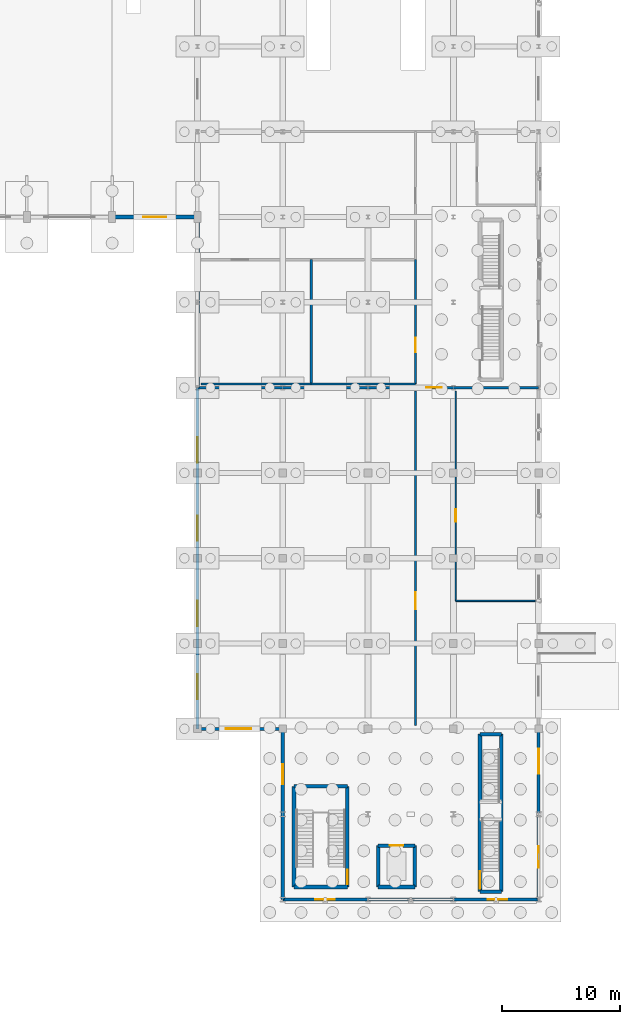
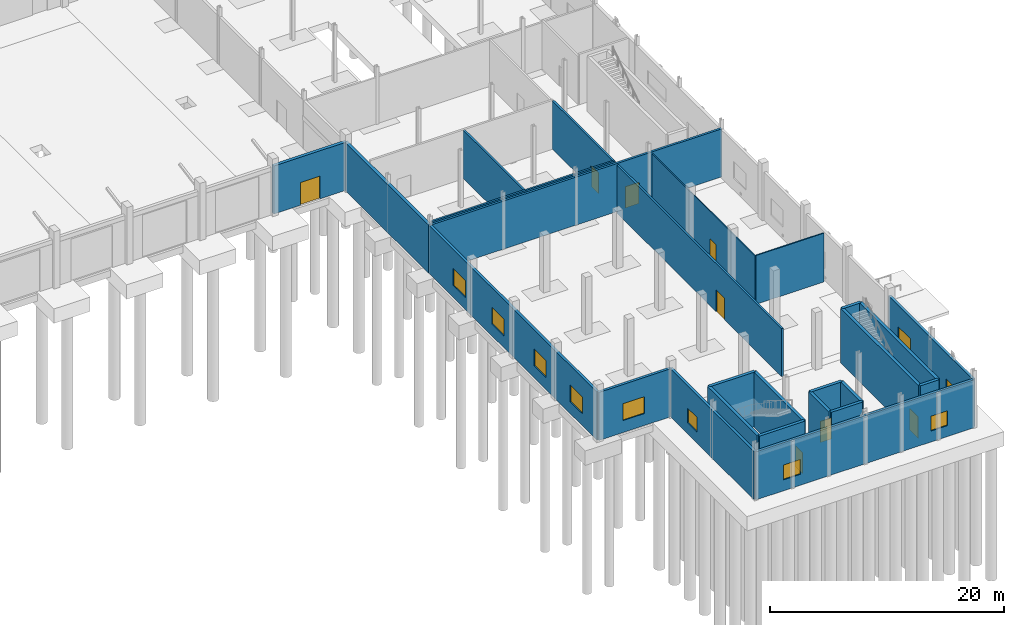
# One storey, part 35 of 45: 27 walls, 9 doors, 9 windows, 18 openings.
"""IFC4 building model written with IfcOpenShell, lengths in metres."""

import ifcopenshell
import ifcopenshell.guid

model = None  # the IFC model being written
_history = None  # IfcOwnerHistory: only IFC2X3 demands one
_inside = {}  # id of a spatial element -> (the spatial element, [elements in it])
_under = {}  # id of a project, library or spatial element -> (it, [spatial elements below it])
_declared = {}  # id of a project -> (the project, [libraries it declares])
_typed = {}  # id of a type object -> (the type object, [elements of that type])
_made_of = {}  # id of a material, layer set ... -> (it, [elements and type objects made of it])


def new_model(schema):
    """Start an empty IFC model of exactly this schema.

    Asked for "IFC4X3", IfcOpenShell would pick the latest addendum, in which some entities
    have other attributes; the version numbers below select the first issue.
    IFC2X3 requires an IfcOwnerHistory on every rooted entity: one is made here for all.
    """
    global model, _history
    if schema == "IFC4X3":
        model = ifcopenshell.file(schema_version=(4, 3, 0, 0))
    else:
        model = ifcopenshell.file(schema=schema)
    _inside.clear()
    _under.clear()
    _declared.clear()
    _typed.clear()
    _made_of.clear()
    _history = None
    if model.schema == "IFC2X3":
        org = make("IfcOrganization", Name="unknown")
        user = make(
            "IfcPersonAndOrganization",
            ThePerson=make("IfcPerson", FamilyName="unknown"),
            TheOrganization=org,
        )
        app = make(
            "IfcApplication",
            ApplicationDeveloper=org,
            Version="unknown",
            ApplicationFullName="unknown",
            ApplicationIdentifier="unknown",
        )
        _history = make(
            "IfcOwnerHistory",
            OwningUser=user,
            OwningApplication=app,
            ChangeAction="ADDED",
            CreationDate=0,
        )
    return model


def make(cls, **values):
    """One entity of the class cls with the attributes given. An attribute that is None is left unset."""
    return model.create_entity(
        cls, **{name: value for name, value in values.items() if value is not None}
    )


def rooted(cls, **values):
    """An entity with a GlobalId (a new one), such as an element, a storey or a relation."""
    return make(cls, GlobalId=ifcopenshell.guid.new(), OwnerHistory=_history, **values)


def si_unit(unit_type, name, prefix=None):
    """IfcSIUnit, for example si_unit("LENGTHUNIT", "METRE", prefix="MILLI")."""
    return make("IfcSIUnit", UnitType=unit_type, Prefix=prefix, Name=name)


def assignment(units):
    """IfcUnitAssignment: the units of a project."""
    return None if units is None else make("IfcUnitAssignment", Units=units)


def point(xyz):
    """IfcCartesianPoint."""
    return None if xyz is None else make("IfcCartesianPoint", Coordinates=xyz)


def direction(xyz):
    """IfcDirection."""
    return None if xyz is None else make("IfcDirection", DirectionRatios=xyz)


def frame(location, z_axis=None, x_axis=None):
    """IfcAxis2Placement3D, a coordinate frame: its origin and axes. An axis left out is left unset."""
    return make(
        "IfcAxis2Placement3D",
        Location=point(location),
        Axis=direction(z_axis),
        RefDirection=direction(x_axis),
    )


def frame_2d(location, x_axis=None):
    """IfcAxis2Placement2D, a coordinate frame in the plane: its origin and x axis."""
    return make(
        "IfcAxis2Placement2D", Location=point(location), RefDirection=direction(x_axis)
    )


def origin():
    """The frame at (0, 0, 0) with its axes left unset."""
    return frame((0.0, 0.0, 0.0))


def place(relative_to, where):
    """IfcLocalPlacement: puts the frame where relative to a parent placement (None: the world)."""
    return make(
        "IfcLocalPlacement", PlacementRelTo=relative_to, RelativePlacement=where
    )


def context(
    kind, dimensions, precision=None, world=None, true_north=None, identifier=None
):
    """IfcGeometricRepresentationContext, for example the 3D "Model" context."""
    return make(
        "IfcGeometricRepresentationContext",
        ContextIdentifier=identifier,
        ContextType=kind,
        CoordinateSpaceDimension=dimensions,
        Precision=precision,
        WorldCoordinateSystem=world,
        TrueNorth=true_north,
    )


def subcontext(parent, identifier, kind, view, scale=None):
    """IfcGeometricRepresentationSubContext, for example "Body" below "Model"."""
    return make(
        "IfcGeometricRepresentationSubContext",
        ContextIdentifier=identifier,
        ContextType=kind,
        ParentContext=parent,
        TargetScale=scale,
        TargetView=view,
    )


def project(units=None, contexts=None):
    """IfcProject with its units and contexts."""
    return rooted(
        "IfcProject",
        Name="project",
        RepresentationContexts=contexts,
        UnitsInContext=assignment(units),
    )


def spatial(cls, under=None, at=None, **own):
    """A site, building, storey or space (cls), placed at a placement, below another one or the project."""
    s = rooted(cls, ObjectPlacement=at, **own)
    if under is not None:
        _under.setdefault(under.id(), (under, []))[1].append(s)
    return s


def profile(cls, at=None, kind="AREA", **sizes):
    """A parametric profile (cls). Its sizes go by their IFC names, for example OverallWidth=200.0."""
    return make(cls, ProfileType=kind, Position=at, **sizes)


def rectangle(**sizes):
    """IfcRectangleProfileDef."""
    return profile("IfcRectangleProfileDef", **sizes)


def extrude(swept, where, along, depth):
    """IfcExtrudedAreaSolid: the profile swept, set in the frame where, extruded along a direction by depth."""
    return make(
        "IfcExtrudedAreaSolid",
        SweptArea=swept,
        Position=where,
        ExtrudedDirection=direction(along),
        Depth=depth,
    )


def shape(context_of_items, identifier, shape_type, items):
    """IfcShapeRepresentation: the items that make up one representation, for example the "Body"."""
    return make(
        "IfcShapeRepresentation",
        ContextOfItems=context_of_items,
        RepresentationIdentifier=identifier,
        RepresentationType=shape_type,
        Items=items,
    )


def material(Name=None, Category=None):
    """IfcMaterial."""
    return make("IfcMaterial", Name=Name, Category=Category)


def layer(
    of_material, thickness, ventilated=None, Name=None, Category=None, Priority=None
):
    """IfcMaterialLayer: one layer of a wall or slab, of a material (None: an air gap)."""
    return make(
        "IfcMaterialLayer",
        Material=of_material,
        LayerThickness=thickness,
        IsVentilated=ventilated,
        Name=Name,
        Category=Category,
        Priority=Priority,
    )


def layer_set(layers, Name=None):
    """IfcMaterialLayerSet."""
    return make("IfcMaterialLayerSet", MaterialLayers=layers, LayerSetName=Name)


def made_of(thing, what):
    """Note that an element or type object is made of a material, layer set ...; save() writes the relation."""
    if what is not None:
        _made_of.setdefault(what.id(), (what, []))[1].append(thing)
    return thing


def type_object(cls, material=None, **own):
    """A type object (cls), such as IfcWallType, which elements share."""
    return made_of(rooted(cls, **own), material)


def element(
    cls,
    number,
    at=None,
    inside=None,
    cuts=None,
    type_object=None,
    material=None,
    context=None,
    identifier="Body",
    shape_type=None,
    held_by="IfcProductDefinitionShape",
    body=None,
    shapes=None,
    **own,
):
    """One element of the class cls, such as IfcWall. Its Tag is "e" and its number.

    at: its placement. inside: the storey or other place that contains it. cuts: it is an
    opening in that element (IfcRelVoidsElement). A single representation is given by context,
    identifier, shape_type and body (its items); several are given by shapes. held_by: the class
    of the entity that holds the representations. save() writes the other relations.
    """
    e = rooted(cls, Tag="e%d" % number, ObjectPlacement=at, **own)
    if body is not None:
        shapes = [shape(context, identifier, shape_type, body)]
    if shapes is not None:
        e.Representation = make(held_by, Representations=shapes)
    if inside is not None:
        _inside.setdefault(inside.id(), (inside, []))[1].append(e)
    if cuts is not None:
        rooted(
            "IfcRelVoidsElement", RelatingBuildingElement=cuts, RelatedOpeningElement=e
        )
    if type_object is not None:
        _typed.setdefault(type_object.id(), (type_object, []))[1].append(e)
    return made_of(e, material)


def fill(opening, filler):
    """IfcRelFillsElement: the door or window that sits in an opening."""
    return rooted(
        "IfcRelFillsElement",
        RelatingOpeningElement=opening,
        RelatedBuildingElement=filler,
    )


def aggregate(whole, parts):
    """IfcRelAggregates: a whole, such as a stair, and the parts it consists of."""
    return rooted("IfcRelAggregates", RelatingObject=whole, RelatedObjects=parts)


def save(model, path):
    """Write the relations noted so far, then the file.

    IfcRelAggregates (storeys below a building ...), IfcRelContainedInSpatialStructure (elements
    in a storey), IfcRelDefinesByType, IfcRelAssociatesMaterial and IfcRelDeclares: one each for
    every whole, place, type object, material and project.
    """
    for whole, parts in _under.values():
        aggregate(whole, parts)
    for where, things in _inside.values():
        rooted(
            "IfcRelContainedInSpatialStructure",
            RelatedElements=things,
            RelatingStructure=where,
        )
    for kind, things in _typed.values():
        rooted("IfcRelDefinesByType", RelatedObjects=things, RelatingType=kind)
    for what, things in _made_of.values():
        rooted("IfcRelAssociatesMaterial", RelatedObjects=things, RelatingMaterial=what)
    for by, libraries in _declared.values():
        rooted("IfcRelDeclares", RelatingContext=by, RelatedDefinitions=libraries)
    model.write(path)


model = new_model("IFC4")

# Units and contexts
model_context = context("Model", 3, precision=1e-05, world=origin(), true_north=direction((0.0, 1.0)))
body_context = subcontext(model_context, "Body", "Model", "MODEL_VIEW")
ifc_project = project(units=[si_unit("LENGTHUNIT", "METRE"), si_unit("AREAUNIT", "SQUARE_METRE"), si_unit("VOLUMEUNIT", "CUBIC_METRE"), si_unit("PLANEANGLEUNIT", "RADIAN"), si_unit("MASSUNIT", "GRAM", prefix="KILO")], contexts=[model_context])

# Site, building, storey
site_placement = place(None, origin())
site = spatial("IfcSite", under=ifc_project, at=site_placement, CompositionType="ELEMENT")
building_placement = place(site_placement, origin())
building = spatial("IfcBuilding", under=site, at=building_placement, Name="Yarey Park Central Fire Station", CompositionType="ELEMENT")
storey_placement = place(building_placement, origin())
storey = spatial("IfcBuildingStorey", under=building, at=storey_placement, Name="L01", CompositionType="ELEMENT", Elevation=0.0)

# Wall, opening, door
ifc_material_1 = material(Name="Concrete C35/45", Category="concrete")
ifc_layer_1 = layer(ifc_material_1, 0.304931640625)
ifc_layer_set_1 = layer_set([ifc_layer_1], Name="Concrete C35/45")
wall_type_1 = type_object("IfcWallType", Name="ENV_WALL_CMU305", PredefinedType="STANDARD", material=ifc_layer_set_1)
wall_1_placement = place(storey_placement, frame((136.800048828125, 57.60009765625, 0.0), z_axis=(0.0, 0.0, 1.0), x_axis=(-1.0, 0.0, 0.0)))
wall_1 = element("IfcWall", 1, at=wall_1_placement, inside=storey, type_object=wall_type_1, Name="EW_L01_V2_S_11", PredefinedType="STANDARD", context=body_context, shape_type="SweptSolid", body=[
    extrude(rectangle(XDim=7.199951171875, YDim=0.304931640625, at=frame_2d((3.60009765625, 0.0))), origin(), (0.0, 0.0, 1.0), 5.02197265625),
])
opening_1_placement = place(wall_1_placement, frame((2.6298828125, 0.0, 0.0)))
opening_1 = element("IfcOpeningElement", 2, at=opening_1_placement, cuts=wall_1, Name="Opening ED-194", PredefinedType="OPENING", context=body_context, shape_type="SweptSolid", body=[
    extrude(rectangle(XDim=1.93994140625, YDim=2.3798828125, at=frame_2d((0.969970703125, 1.18994140625))), frame((0.0, 0.162353515625, 0.0), z_axis=(0.0, -1.0, 0.0), x_axis=(1.0, 0.0, 0.0)), (0.0, 0.0, 1.0), 0.324951171875),
])
ifc_material_2 = material(Name="Galvanized Hollow Metal Door", Category="metal")
door_type_1 = type_object("IfcDoorType", Name="ENV_DOOR_EX1940", OperationType="NOTDEFINED", PredefinedType="DOOR", material=ifc_material_2)
door_1_placement = place(opening_1_placement, origin())
door_1 = element("IfcDoor", 3, at=door_1_placement, inside=storey, type_object=door_type_1, Name="DOOR_L01_EX_E08", OperationType="SINGLE_SWING_LEFT", OverallHeight=2.3798828125, OverallWidth=1.93994140625, PredefinedType="DOOR", context=body_context, shape_type="SweptSolid", body=[
    extrude(rectangle(XDim=1.93994140625, YDim=2.3798828125, at=frame_2d((0.969970703125, 1.18994140625))), frame((0.0, 0.02490234375, 0.0), z_axis=(0.0, -1.0, 0.0), x_axis=(1.0, 0.0, 0.0)), (0.0, 0.0, 1.0), 0.050048828125),
])
fill(opening_1, door_1)

# Wall
wall_2_placement = place(storey_placement, frame((136.800048828125, 57.60009765625, 0.0), z_axis=(0.0, 0.0, 1.0), x_axis=(0.0, -1.0, 0.0)))
element("IfcWall", 4, at=wall_2_placement, inside=storey, type_object=wall_type_1, Name="EW_L01_V5_W_S", PredefinedType="STANDARD", context=body_context, shape_type="SweptSolid", body=[
    extrude(rectangle(XDim=14.400146484375, YDim=0.304931640625, at=frame_2d((7.2001953125, 0.0))), origin(), (0.0, 0.0, 1.0), 5.02197265625),
])

# Wall, openings, windows
ifc_material_3 = material(Name="Concrete C40/50", Category="concrete")
ifc_layer_2 = layer(ifc_material_3, 0.2548828125)
ifc_layer_set_2 = layer_set([ifc_layer_2], Name="Concrete C40/50")
wall_type_2 = type_object("IfcWallType", Name="ENV_WALL_RC255", PredefinedType="STANDARD", material=ifc_layer_set_2)
wall_3_placement = place(storey_placement, frame((136.800048828125, 43.199951171875, 0.0), z_axis=(0.0, 0.0, 1.0), x_axis=(0.0, -1.0, 0.0)))
wall_3 = element("IfcWall", 5, at=wall_3_placement, inside=storey, type_object=wall_type_2, Name="EW_L01_V6_SMKW", PredefinedType="STANDARD", context=body_context, shape_type="SweptSolid", body=[
    extrude(rectangle(XDim=28.800048828125, YDim=0.2548828125, at=frame_2d((14.39990234375, 0.0))), origin(), (0.0, 0.0, 1.0), 5.02197265625),
])
opening_2_placement = place(wall_3_placement, frame((4.199951171875, 0.0, 1.25)))
opening_2 = element("IfcOpeningElement", 6, at=opening_2_placement, cuts=wall_3, Name="Opening WN-P212", PredefinedType="OPENING", context=body_context, shape_type="SweptSolid", body=[
    extrude(rectangle(XDim=2.1201171875, YDim=1.760009765625, at=frame_2d((1.06005859375, 0.8798828125))), frame((0.0, 0.137451171875, 0.0), z_axis=(0.0, -1.0, 0.0), x_axis=(1.0, 0.0, 0.0)), (0.0, 0.0, 1.0), 0.27490234375),
])
opening_3_placement = place(wall_3_placement, frame((10.800048828125, 0.0, 1.25)))
opening_3 = element("IfcOpeningElement", 7, at=opening_3_placement, cuts=wall_3, Name="Opening WN-P212", PredefinedType="OPENING", context=body_context, shape_type="SweptSolid", body=[
    extrude(rectangle(XDim=2.1201171875, YDim=1.760009765625, at=frame_2d((1.06005859375, 0.8798828125))), frame((0.0, 0.137451171875, 0.0), z_axis=(0.0, -1.0, 0.0), x_axis=(1.0, 0.0, 0.0)), (0.0, 0.0, 1.0), 0.27490234375),
])
opening_4_placement = place(wall_3_placement, frame((18.0, 0.0, 1.25)))
opening_4 = element("IfcOpeningElement", 8, at=opening_4_placement, cuts=wall_3, Name="Opening WN-P212", PredefinedType="OPENING", context=body_context, shape_type="SweptSolid", body=[
    extrude(rectangle(XDim=2.1201171875, YDim=1.760009765625, at=frame_2d((1.06005859375, 0.8798828125))), frame((0.0, 0.137451171875, 0.0), z_axis=(0.0, -1.0, 0.0), x_axis=(1.0, 0.0, 0.0)), (0.0, 0.0, 1.0), 0.27490234375),
])
opening_5_placement = place(wall_3_placement, frame((24.199951171875, 0.0, 1.25)))
opening_5 = element("IfcOpeningElement", 9, at=opening_5_placement, cuts=wall_3, Name="Opening WN-P212", PredefinedType="OPENING", context=body_context, shape_type="SweptSolid", body=[
    extrude(rectangle(XDim=2.1201171875, YDim=1.760009765625, at=frame_2d((1.06005859375, 0.8798828125))), frame((0.0, 0.137451171875, 0.0), z_axis=(0.0, -1.0, 0.0), x_axis=(1.0, 0.0, 0.0)), (0.0, 0.0, 1.0), 0.27490234375),
])
ifc_material_4 = material(Name="Laminated Hurricane Low-E Glass", Category="glass")
window_type_1 = type_object("IfcWindowType", Name="ENV_WIN_PUNCH_212", PartitioningType="SINGLE_PANEL", PredefinedType="WINDOW", material=ifc_material_4)
window_1_placement = place(opening_2_placement, origin())
window_1 = element("IfcWindow", 10, at=window_1_placement, inside=storey, type_object=window_type_1, Name="WIN_L01_SMKW_1", OverallHeight=1.760009765625, OverallWidth=2.1201171875, PartitioningType="SINGLE_PANEL", PredefinedType="WINDOW", context=body_context, shape_type="SweptSolid", body=[
    extrude(rectangle(XDim=2.1201171875, YDim=1.760009765625, at=frame_2d((1.06005859375, 0.8798828125))), frame((0.0, 0.030029296875, 0.0), z_axis=(0.0, -1.0, 0.0), x_axis=(1.0, 0.0, 0.0)), (0.0, 0.0, 1.0), 0.06005859375),
])
fill(opening_2, window_1)
window_2_placement = place(opening_3_placement, origin())
window_2 = element("IfcWindow", 11, at=window_2_placement, inside=storey, type_object=window_type_1, Name="WIN_L01_SMKW_2", OverallHeight=1.760009765625, OverallWidth=2.1201171875, PartitioningType="SINGLE_PANEL", PredefinedType="WINDOW", context=body_context, shape_type="SweptSolid", body=[
    extrude(rectangle(XDim=2.1201171875, YDim=1.760009765625, at=frame_2d((1.06005859375, 0.8798828125))), frame((0.0, 0.030029296875, 0.0), z_axis=(0.0, -1.0, 0.0), x_axis=(1.0, 0.0, 0.0)), (0.0, 0.0, 1.0), 0.06005859375),
])
fill(opening_3, window_2)
window_3_placement = place(opening_4_placement, origin())
window_3 = element("IfcWindow", 12, at=window_3_placement, inside=storey, type_object=window_type_1, Name="WIN_L01_SMKW_3", OverallHeight=1.760009765625, OverallWidth=2.1201171875, PartitioningType="SINGLE_PANEL", PredefinedType="WINDOW", context=body_context, shape_type="SweptSolid", body=[
    extrude(rectangle(XDim=2.1201171875, YDim=1.760009765625, at=frame_2d((1.06005859375, 0.8798828125))), frame((0.0, 0.030029296875, 0.0), z_axis=(0.0, -1.0, 0.0), x_axis=(1.0, 0.0, 0.0)), (0.0, 0.0, 1.0), 0.06005859375),
])
fill(opening_4, window_3)
window_4_placement = place(opening_5_placement, origin())
window_4 = element("IfcWindow", 13, at=window_4_placement, inside=storey, type_object=window_type_1, Name="WIN_L01_SMKW_4", OverallHeight=1.760009765625, OverallWidth=2.1201171875, PartitioningType="SINGLE_PANEL", PredefinedType="WINDOW", context=body_context, shape_type="SweptSolid", body=[
    extrude(rectangle(XDim=2.1201171875, YDim=1.760009765625, at=frame_2d((1.06005859375, 0.8798828125))), frame((0.0, 0.030029296875, 0.0), z_axis=(0.0, -1.0, 0.0), x_axis=(1.0, 0.0, 0.0)), (0.0, 0.0, 1.0), 0.06005859375),
])
fill(opening_5, window_4)

# Wall, opening, window
wall_4_placement = place(storey_placement, frame((136.800048828125, 14.39990234375, 0.0), z_axis=(0.0, 0.0, 1.0), x_axis=(1.0, 0.0, 0.0)))
wall_4 = element("IfcWall", 14, at=wall_4_placement, inside=storey, type_object=wall_type_2, Name="EW_L01_V6_SMKS", PredefinedType="STANDARD", context=body_context, shape_type="SweptSolid", body=[
    extrude(rectangle(XDim=7.199951171875, YDim=0.2548828125, at=frame_2d((3.60009765625, 0.0))), origin(), (0.0, 0.0, 1.0), 5.02197265625),
])
opening_6_placement = place(wall_4_placement, frame((2.39990234375, 0.0, 1.25)))
opening_6 = element("IfcOpeningElement", 15, at=opening_6_placement, cuts=wall_4, Name="Opening WN-P212", PredefinedType="OPENING", context=body_context, shape_type="SweptSolid", body=[
    extrude(rectangle(XDim=2.1201171875, YDim=1.760009765625, at=frame_2d((1.06005859375, 0.8798828125))), frame((0.0, 0.137451171875, 0.0), z_axis=(0.0, -1.0, 0.0), x_axis=(1.0, 0.0, 0.0)), (0.0, 0.0, 1.0), 0.27490234375),
])
window_5_placement = place(opening_6_placement, origin())
window_5 = element("IfcWindow", 16, at=window_5_placement, inside=storey, type_object=window_type_1, Name="WIN_L01_SMKS_1", OverallHeight=1.760009765625, OverallWidth=2.1201171875, PartitioningType="SINGLE_PANEL", PredefinedType="WINDOW", context=body_context, shape_type="SweptSolid", body=[
    extrude(rectangle(XDim=2.1201171875, YDim=1.760009765625, at=frame_2d((1.06005859375, 0.8798828125))), frame((0.0, 0.030029296875, 0.0), z_axis=(0.0, -1.0, 0.0), x_axis=(1.0, 0.0, 0.0)), (0.0, 0.0, 1.0), 0.06005859375),
])
fill(opening_6, window_5)

# Wall, openings, windows
wall_5_placement = place(storey_placement, frame((165.60009765625, 0.0, 0.0), z_axis=(0.0, 0.0, 1.0), x_axis=(-1.0, 0.0, 0.0)))
wall_5 = element("IfcWall", 17, at=wall_5_placement, inside=storey, type_object=wall_type_2, Name="EW_L01_DT_S", PredefinedType="STANDARD", context=body_context, shape_type="SweptSolid", body=[
    extrude(rectangle(XDim=21.60009765625, YDim=0.2548828125, at=frame_2d((10.800048828125, 0.0))), origin(), (0.0, 0.0, 1.0), 5.02197265625),
])
opening_7_placement = place(wall_5_placement, frame((2.639892578125, 0.0, 1.14990234375)))
opening_7 = element("IfcOpeningElement", 18, at=opening_7_placement, cuts=wall_5, Name="Opening WN-DT166", PredefinedType="OPENING", context=body_context, shape_type="SweptSolid", body=[
    extrude(rectangle(XDim=1.659912109375, YDim=1.5400390625, at=frame_2d((0.830078125, 0.77001953125))), frame((0.0, 0.137451171875, 0.0), z_axis=(0.0, -1.0, 0.0), x_axis=(1.0, 0.0, 0.0)), (0.0, 0.0, 1.0), 0.27490234375),
])
opening_8_placement = place(wall_5_placement, frame((17.199951171875, 0.0, 1.14990234375)))
opening_8 = element("IfcOpeningElement", 19, at=opening_8_placement, cuts=wall_5, Name="Opening WN-DT166", PredefinedType="OPENING", context=body_context, shape_type="SweptSolid", body=[
    extrude(rectangle(XDim=1.659912109375, YDim=1.5400390625, at=frame_2d((0.830078125, 0.77001953125))), frame((0.0, 0.137451171875, 0.0), z_axis=(0.0, -1.0, 0.0), x_axis=(1.0, 0.0, 0.0)), (0.0, 0.0, 1.0), 0.27490234375),
])
window_type_2 = type_object("IfcWindowType", Name="ENV_WIN_DT_166", PartitioningType="SINGLE_PANEL", PredefinedType="WINDOW", material=ifc_material_4)
window_6_placement = place(opening_7_placement, origin())
window_6 = element("IfcWindow", 20, at=window_6_placement, inside=storey, type_object=window_type_2, Name="WIN_L01_DTS_2", OverallHeight=1.5400390625, OverallWidth=1.659912109375, PartitioningType="SINGLE_PANEL", PredefinedType="WINDOW", context=body_context, shape_type="SweptSolid", body=[
    extrude(rectangle(XDim=1.659912109375, YDim=1.5400390625, at=frame_2d((0.830078125, 0.77001953125))), frame((0.0, 0.030029296875, 0.0), z_axis=(0.0, -1.0, 0.0), x_axis=(1.0, 0.0, 0.0)), (0.0, 0.0, 1.0), 0.06005859375),
])
fill(opening_7, window_6)
window_7_placement = place(opening_8_placement, origin())
window_7 = element("IfcWindow", 21, at=window_7_placement, inside=storey, type_object=window_type_2, Name="WIN_L01_DTS_1", OverallHeight=1.5400390625, OverallWidth=1.659912109375, PartitioningType="SINGLE_PANEL", PredefinedType="WINDOW", context=body_context, shape_type="SweptSolid", body=[
    extrude(rectangle(XDim=1.659912109375, YDim=1.5400390625, at=frame_2d((0.830078125, 0.77001953125))), frame((0.0, 0.030029296875, 0.0), z_axis=(0.0, -1.0, 0.0), x_axis=(1.0, 0.0, 0.0)), (0.0, 0.0, 1.0), 0.06005859375),
])
fill(opening_8, window_7)

# Wall, openings, door, window
wall_6_placement = place(storey_placement, frame((165.60009765625, 14.39990234375, 0.0), z_axis=(0.0, 0.0, 1.0), x_axis=(0.0, -1.0, 0.0)))
wall_6 = element("IfcWall", 22, at=wall_6_placement, inside=storey, type_object=wall_type_2, Name="EW_L01_DT_E", PredefinedType="STANDARD", context=body_context, shape_type="SweptSolid", body=[
    extrude(rectangle(XDim=14.39990234375, YDim=0.2548828125, at=frame_2d((7.199951171875, 0.0))), origin(), (0.0, 0.0, 1.0), 5.02197265625),
])
opening_9_placement = place(wall_6_placement, frame((9.889892578125, 0.0, 0.0)))
opening_9 = element("IfcOpeningElement", 23, at=opening_9_placement, cuts=wall_6, Name="Opening ED-182", PredefinedType="OPENING", context=body_context, shape_type="SweptSolid", body=[
    extrude(rectangle(XDim=1.820068359375, YDim=2.340087890625, at=frame_2d((0.91015625, 1.169921875))), frame((0.0, 0.137451171875, 0.0), z_axis=(0.0, -1.0, 0.0), x_axis=(1.0, 0.0, 0.0)), (0.0, 0.0, 1.0), 0.27490234375),
])
opening_10_placement = place(wall_6_placement, frame((1.679931640625, 0.0, 1.050048828125)))
opening_10 = element("IfcOpeningElement", 24, at=opening_10_placement, cuts=wall_6, Name="Opening WN-P212", PredefinedType="OPENING", context=body_context, shape_type="SweptSolid", body=[
    extrude(rectangle(XDim=2.1201171875, YDim=1.760009765625, at=frame_2d((1.06005859375, 0.8798828125))), frame((0.0, 0.137451171875, 0.0), z_axis=(0.0, -1.0, 0.0), x_axis=(1.0, 0.0, 0.0)), (0.0, 0.0, 1.0), 0.27490234375),
])
door_type_2 = type_object("IfcDoorType", Name="ENV_DOOR_EX1820", OperationType="NOTDEFINED", PredefinedType="DOOR", material=ifc_material_2)
door_2_placement = place(opening_9_placement, origin())
door_2 = element("IfcDoor", 25, at=door_2_placement, inside=storey, type_object=door_type_2, Name="DOOR_L01_EX_E10A", OperationType="SINGLE_SWING_LEFT", OverallHeight=2.340087890625, OverallWidth=1.820068359375, PredefinedType="DOOR", context=body_context, shape_type="SweptSolid", body=[
    extrude(rectangle(XDim=1.820068359375, YDim=2.340087890625, at=frame_2d((0.91015625, 1.169921875))), frame((0.0, 0.02490234375, 0.0), z_axis=(0.0, -1.0, 0.0), x_axis=(1.0, 0.0, 0.0)), (0.0, 0.0, 1.0), 0.050048828125),
])
fill(opening_9, door_2)
window_8_placement = place(opening_10_placement, origin())
window_8 = element("IfcWindow", 26, at=window_8_placement, inside=storey, type_object=window_type_1, Name="WIN_L01_DTE_2", OverallHeight=1.760009765625, OverallWidth=2.1201171875, PartitioningType="SINGLE_PANEL", PredefinedType="WINDOW", context=body_context, shape_type="SweptSolid", body=[
    extrude(rectangle(XDim=2.1201171875, YDim=1.760009765625, at=frame_2d((1.06005859375, 0.8798828125))), frame((0.0, 0.030029296875, 0.0), z_axis=(0.0, -1.0, 0.0), x_axis=(1.0, 0.0, 0.0)), (0.0, 0.0, 1.0), 0.06005859375),
])
fill(opening_10, window_8)

# Wall, opening, window
wall_7_placement = place(storey_placement, frame((144.0, 14.39990234375, 0.0), z_axis=(0.0, 0.0, 1.0), x_axis=(0.0, -1.0, 0.0)))
wall_7 = element("IfcWall", 27, at=wall_7_placement, inside=storey, type_object=wall_type_2, Name="EW_L01_DT_W", PredefinedType="STANDARD", context=body_context, shape_type="SweptSolid", body=[
    extrude(rectangle(XDim=14.39990234375, YDim=0.2548828125, at=frame_2d((7.199951171875, 0.0))), origin(), (0.0, 0.0, 1.0), 5.02197265625),
])
opening_11_placement = place(wall_7_placement, frame((3.0, 0.0, 1.14990234375)))
opening_11 = element("IfcOpeningElement", 28, at=opening_11_placement, cuts=wall_7, Name="Opening WN-DT166", PredefinedType="OPENING", context=body_context, shape_type="SweptSolid", body=[
    extrude(rectangle(XDim=1.659912109375, YDim=1.5400390625, at=frame_2d((0.830078125, 0.77001953125))), frame((0.0, 0.137451171875, 0.0), z_axis=(0.0, -1.0, 0.0), x_axis=(1.0, 0.0, 0.0)), (0.0, 0.0, 1.0), 0.27490234375),
])
window_9_placement = place(opening_11_placement, origin())
window_9 = element("IfcWindow", 29, at=window_9_placement, inside=storey, type_object=window_type_2, Name="WIN_L01_DTW_1", OverallHeight=1.5400390625, OverallWidth=1.659912109375, PartitioningType="SINGLE_PANEL", PredefinedType="WINDOW", context=body_context, shape_type="SweptSolid", body=[
    extrude(rectangle(XDim=1.659912109375, YDim=1.5400390625, at=frame_2d((0.830078125, 0.77001953125))), frame((0.0, 0.030029296875, 0.0), z_axis=(0.0, -1.0, 0.0), x_axis=(1.0, 0.0, 0.0)), (0.0, 0.0, 1.0), 0.06005859375),
])
fill(opening_11, window_9)

# Walls
ifc_layer_3 = layer(ifc_material_3, 0.27001953125)
ifc_layer_set_3 = layer_set([ifc_layer_3], Name="Concrete C40/50")
wall_type_3 = type_object("IfcWallType", Name="INT_CORE_RC270", PredefinedType="SHEAR", material=ifc_layer_set_3)
for number, where, z_axis, x_axis, name in (
    (30, (144.949951171875, 1.050048828125, 0.0), (0.0, 0.0, 1.0), (1.0, 0.0, 0.0), "CWALL_C5_L01_S"),
    (31, (149.449951171875, 9.550048828125, 0.0), (0.0, 0.0, 1.0), (-1.0, 0.0, 0.0), "CWALL_C5_L01_N"),
):
    element("IfcWall", number, at=place(storey_placement, frame(where, z_axis=z_axis, x_axis=x_axis)), inside=storey, type_object=wall_type_3, Name=name, PredefinedType="SHEAR", context=body_context, shape_type="SweptSolid", body=[
        extrude(rectangle(XDim=4.5, YDim=0.300048828125, at=frame_2d((2.25, 0.0))), origin(), (0.0, 0.0, 1.0), 5.715087890625),
    ])
wall_8_placement = place(storey_placement, frame((144.949951171875, 1.050048828125, 0.0), z_axis=(0.0, 0.0, 1.0), x_axis=(0.0, 1.0, 0.0)))
element("IfcWall", 32, at=wall_8_placement, inside=storey, type_object=wall_type_3, Name="CWALL_C5_L01_W", PredefinedType="SHEAR", context=body_context, shape_type="SweptSolid", body=[
    extrude(rectangle(XDim=8.5, YDim=0.300048828125, at=frame_2d((4.25, 0.0))), origin(), (0.0, 0.0, 1.0), 5.715087890625),
])

# Wall, opening, door
wall_9_placement = place(storey_placement, frame((149.449951171875, 9.550048828125, 0.0), z_axis=(0.0, 0.0, 1.0), x_axis=(0.0, -1.0, 0.0)))
wall_9 = element("IfcWall", 33, at=wall_9_placement, inside=storey, type_object=wall_type_3, Name="CWALL_C5_L01_E", PredefinedType="SHEAR", context=body_context, shape_type="SweptSolid", body=[
    extrude(rectangle(XDim=8.5, YDim=0.300048828125, at=frame_2d((4.25, 0.0))), origin(), (0.0, 0.0, 1.0), 5.715087890625),
])
opening_12_placement = place(wall_9_placement, frame((7.030029296875, 0.0, 0.0)))
opening_12 = element("IfcOpeningElement", 34, at=opening_12_placement, cuts=wall_9, Name="Opening SD-122", PredefinedType="OPENING", context=body_context, shape_type="SweptSolid", body=[
    extrude(rectangle(XDim=1.219970703125, YDim=2.159912109375, at=frame_2d((0.60986328125, 1.080078125))), frame((0.0, 0.159912109375, 0.0), z_axis=(0.0, -1.0, 0.0), x_axis=(1.0, 0.0, 0.0)), (0.0, 0.0, 1.0), 0.320068359375),
])
door_type_3 = type_object("IfcDoorType", Name="DR_STAIR_1220", OperationType="NOTDEFINED", PredefinedType="DOOR", material=ifc_material_2)
door_3_placement = place(opening_12_placement, origin())
door_3 = element("IfcDoor", 35, at=door_3_placement, inside=storey, type_object=door_type_3, Name="DOOR_STAIR_C5_L01", OperationType="SINGLE_SWING_LEFT", OverallHeight=2.159912109375, OverallWidth=1.219970703125, PredefinedType="DOOR", context=body_context, shape_type="SweptSolid", body=[
    extrude(rectangle(XDim=1.219970703125, YDim=2.159912109375, at=frame_2d((0.60986328125, 1.080078125))), frame((0.0, 0.02490234375, 0.0), z_axis=(0.0, -1.0, 0.0), x_axis=(1.0, 0.0, 0.0)), (0.0, 0.0, 1.0), 0.050048828125),
])
fill(opening_12, door_3)

# Wall
wall_10_placement = place(storey_placement, frame((152.050048828125, 1.050048828125, 0.0), z_axis=(0.0, 0.0, 1.0), x_axis=(1.0, 0.0, 0.0)))
element("IfcWall", 36, at=wall_10_placement, inside=storey, type_object=wall_type_3, Name="LWALL_C5_L01_S", PredefinedType="SHEAR", context=body_context, shape_type="SweptSolid", body=[
    extrude(rectangle(XDim=3.099853515625, YDim=0.300048828125, at=frame_2d((1.5498046875, 0.0))), origin(), (0.0, 0.0, 1.0), 5.715087890625),
])

# Wall, opening, door
wall_11_placement = place(storey_placement, frame((155.14990234375, 4.550048828125, 0.0), z_axis=(0.0, 0.0, 1.0), x_axis=(-1.0, 0.0, 0.0)))
wall_11 = element("IfcWall", 37, at=wall_11_placement, inside=storey, type_object=wall_type_3, Name="LWALL_C5_L01_N", PredefinedType="SHEAR", context=body_context, shape_type="SweptSolid", body=[
    extrude(rectangle(XDim=3.099853515625, YDim=0.300048828125, at=frame_2d((1.5498046875, 0.0))), origin(), (0.0, 0.0, 1.0), 5.715087890625),
])
opening_13_placement = place(wall_11_placement, frame((1.0, 0.0, 0.0)))
opening_13 = element("IfcOpeningElement", 38, at=opening_13_placement, cuts=wall_11, Name="Opening LD-11", PredefinedType="OPENING", context=body_context, shape_type="SweptSolid", body=[
    extrude(rectangle(XDim=1.10009765625, YDim=2.219970703125, at=frame_2d((0.550048828125, 1.10986328125))), frame((0.0, 0.159912109375, 0.0), z_axis=(0.0, -1.0, 0.0), x_axis=(1.0, 0.0, 0.0)), (0.0, 0.0, 1.0), 0.320068359375),
])
ifc_material_5 = material(Name="Stainless Steel AISI 316L", Category="steel")
door_type_4 = type_object("IfcDoorType", Name="DR_LD_1100", OperationType="NOTDEFINED", PredefinedType="DOOR", material=ifc_material_5)
door_4_placement = place(opening_13_placement, origin())
door_4 = element("IfcDoor", 39, at=door_4_placement, inside=storey, type_object=door_type_4, Name="Lift Landing Door LF-5-L01", OperationType="SLIDING_TO_LEFT", OverallHeight=2.219970703125, OverallWidth=1.10009765625, PredefinedType="DOOR", context=body_context, shape_type="SweptSolid", body=[
    extrude(rectangle(XDim=1.10009765625, YDim=2.219970703125, at=frame_2d((0.550048828125, 1.10986328125))), frame((0.0, 0.02490234375, 0.0), z_axis=(0.0, -1.0, 0.0), x_axis=(1.0, 0.0, 0.0)), (0.0, 0.0, 1.0), 0.050048828125),
])
fill(opening_13, door_4)

# Walls
for number, where, z_axis, x_axis, name in (
    (40, (152.050048828125, 4.550048828125, 0.0), (0.0, 0.0, 1.0), (0.0, -1.0, 0.0), "LWALL_C5_L01_W"),
    (41, (155.14990234375, 1.050048828125, 0.0), (0.0, 0.0, 1.0), (0.0, 1.0, 0.0), "LWALL_C5_L01_E"),
):
    element("IfcWall", number, at=place(storey_placement, frame(where, z_axis=z_axis, x_axis=x_axis)), inside=storey, type_object=wall_type_3, Name=name, PredefinedType="SHEAR", context=body_context, shape_type="SweptSolid", body=[
        extrude(rectangle(XDim=3.5, YDim=0.300048828125, at=frame_2d((1.75, 0.0))), origin(), (0.0, 0.0, 1.0), 5.715087890625),
    ])
for number, where, z_axis, x_axis, name in (
    (42, (160.64990234375, 0.64990234375, 0.0), (0.0, 0.0, 1.0), (1.0, 0.0, 0.0), "CWALL_C6_L01_S"),
    (43, (162.449951171875, 13.949951171875, 0.0), (0.0, 0.0, 1.0), (-1.0, 0.0, 0.0), "CWALL_C6_L01_N"),
):
    element("IfcWall", number, at=place(storey_placement, frame(where, z_axis=z_axis, x_axis=x_axis)), inside=storey, type_object=wall_type_3, Name=name, PredefinedType="SHEAR", context=body_context, shape_type="SweptSolid", body=[
        extrude(rectangle(XDim=1.800048828125, YDim=0.300048828125, at=frame_2d((0.89990234375, 0.0))), origin(), (0.0, 0.0, 1.0), 5.715087890625),
    ])

# Wall, opening, door
wall_12_placement = place(storey_placement, frame((160.64990234375, 0.64990234375, 0.0), z_axis=(0.0, 0.0, 1.0), x_axis=(0.0, 1.0, 0.0)))
wall_12 = element("IfcWall", 44, at=wall_12_placement, inside=storey, type_object=wall_type_3, Name="CWALL_C6_L01_W", PredefinedType="SHEAR", context=body_context, shape_type="SweptSolid", body=[
    extrude(rectangle(XDim=13.300048828125, YDim=0.300048828125, at=frame_2d((6.64990234375, 0.0))), origin(), (0.0, 0.0, 1.0), 5.715087890625),
])
opening_14_placement = place(wall_12_placement, frame((0.25, 0.0, 0.0)))
opening_14 = element("IfcOpeningElement", 45, at=opening_14_placement, cuts=wall_12, Name="Opening SD-146", PredefinedType="OPENING", context=body_context, shape_type="SweptSolid", body=[
    extrude(rectangle(XDim=1.4599609375, YDim=2.239990234375, at=frame_2d((0.72998046875, 1.1201171875))), frame((0.0, 0.159912109375, 0.0), z_axis=(0.0, -1.0, 0.0), x_axis=(1.0, 0.0, 0.0)), (0.0, 0.0, 1.0), 0.320068359375),
])
door_type_5 = type_object("IfcDoorType", Name="DR_STAIR_1460", OperationType="NOTDEFINED", PredefinedType="DOOR", material=ifc_material_2)
door_5_placement = place(opening_14_placement, origin())
door_5 = element("IfcDoor", 46, at=door_5_placement, inside=storey, type_object=door_type_5, Name="DOOR_STAIR_C6_L01", OperationType="SINGLE_SWING_LEFT", OverallHeight=2.239990234375, OverallWidth=1.4599609375, PredefinedType="DOOR", context=body_context, shape_type="SweptSolid", body=[
    extrude(rectangle(XDim=1.4599609375, YDim=2.239990234375, at=frame_2d((0.72998046875, 1.1201171875))), frame((0.0, 0.02490234375, 0.0), z_axis=(0.0, -1.0, 0.0), x_axis=(1.0, 0.0, 0.0)), (0.0, 0.0, 1.0), 0.050048828125),
])
fill(opening_14, door_5)

# Walls
wall_13_placement = place(storey_placement, frame((162.449951171875, 13.949951171875, 0.0), z_axis=(0.0, 0.0, 1.0), x_axis=(0.0, -1.0, 0.0)))
element("IfcWall", 47, at=wall_13_placement, inside=storey, type_object=wall_type_3, Name="CWALL_C6_L01_E", PredefinedType="SHEAR", context=body_context, shape_type="SweptSolid", body=[
    extrude(rectangle(XDim=13.300048828125, YDim=0.300048828125, at=frame_2d((6.64990234375, 0.0))), origin(), (0.0, 0.0, 1.0), 5.715087890625),
])
ifc_layer_4 = layer(ifc_material_1, 0.18994140625)
ifc_layer_set_4 = layer_set([ifc_layer_4], Name="Concrete C35/45")
wall_type_4 = type_object("IfcWallType", Name="INT_WALL_CMU190", PredefinedType="STANDARD", material=ifc_layer_set_4)
wall_14_placement = place(storey_placement, frame((137.10009765625, 43.5, 0.0), z_axis=(0.0, 0.0, 1.0), x_axis=(1.0, 0.0, 0.0)))
element("IfcWall", 48, at=wall_14_placement, inside=storey, type_object=wall_type_4, Name="PART_SPC_L01_POWER_SOUTH", PredefinedType="STANDARD", context=body_context, shape_type="SweptSolid", body=[
    extrude(rectangle(XDim=9.2998046875, YDim=0.18994140625, at=frame_2d((4.64990234375, 0.0))), origin(), (0.0, 0.0, 1.0), 5.10302734375),
])
wall_15_placement = place(storey_placement, frame((146.39990234375, 43.5, 0.0), z_axis=(0.0, 0.0, 1.0), x_axis=(0.0, 1.0, 0.0)))
element("IfcWall", 49, at=wall_15_placement, inside=storey, type_object=wall_type_4, Name="PART_SPC_L01_POWER_EAST", PredefinedType="STANDARD", context=body_context, shape_type="SweptSolid", body=[
    extrude(rectangle(XDim=10.5, YDim=0.18994140625, at=frame_2d((5.25, 0.0))), origin(), (0.0, 0.0, 1.0), 5.02197265625),
])
wall_16_placement = place(storey_placement, frame((146.39990234375, 43.5, 0.0), z_axis=(0.0, 0.0, 1.0), x_axis=(1.0, 0.0, 0.0)))
element("IfcWall", 50, at=wall_16_placement, inside=storey, type_object=wall_type_4, Name="PART_SPC_L01_PUMP_SOUTH", PredefinedType="STANDARD", context=body_context, shape_type="SweptSolid", body=[
    extrude(rectangle(XDim=8.800048828125, YDim=0.18994140625, at=frame_2d((4.39990234375, 0.0))), origin(), (0.0, 0.0, 1.0), 5.10302734375),
])

# Wall, opening, door
wall_17_placement = place(storey_placement, frame((155.199951171875, 43.5, 0.0), z_axis=(0.0, 0.0, 1.0), x_axis=(0.0, 1.0, 0.0)))
wall_17 = element("IfcWall", 51, at=wall_17_placement, inside=storey, type_object=wall_type_4, Name="PART_SPC_L01_PUMP_EAST", PredefinedType="STANDARD", context=body_context, shape_type="SweptSolid", body=[
    extrude(rectangle(XDim=10.5, YDim=0.18994140625, at=frame_2d((5.25, 0.0))), origin(), (0.0, 0.0, 1.0), 5.02197265625),
])
opening_15_placement = place(wall_17_placement, frame((2.68994140625, 0.0, 0.0)))
opening_15 = element("IfcOpeningElement", 52, at=opening_15_placement, cuts=wall_17, Name="Opening FD-122", PredefinedType="OPENING", context=body_context, shape_type="SweptSolid", body=[
    extrude(rectangle(XDim=1.219970703125, YDim=2.199951171875, at=frame_2d((0.60986328125, 1.10009765625))), frame((0.0, 0.10498046875, 0.0), z_axis=(0.0, -1.0, 0.0), x_axis=(1.0, 0.0, 0.0)), (0.0, 0.0, 1.0), 0.2099609375),
])
door_type_6 = type_object("IfcDoorType", Name="DR_FD_1220", OperationType="NOTDEFINED", PredefinedType="DOOR", material=ifc_material_2)
door_6_placement = place(opening_15_placement, origin())
door_6 = element("IfcDoor", 53, at=door_6_placement, inside=storey, type_object=door_type_6, Name="DOOR_SPC_L01_PUMP", OperationType="SINGLE_SWING_RIGHT", OverallHeight=2.199951171875, OverallWidth=1.219970703125, PredefinedType="DOOR", context=body_context, shape_type="SweptSolid", body=[
    extrude(rectangle(XDim=1.219970703125, YDim=2.199951171875, at=frame_2d((0.60986328125, 1.10009765625))), frame((0.0, 0.02490234375, 0.0), z_axis=(0.0, -1.0, 0.0), x_axis=(1.0, 0.0, 0.0)), (0.0, 0.0, 1.0), 0.050048828125),
])
fill(opening_15, door_6)

wall_18_placement = place(storey_placement, frame((155.199951171875, 14.699951171875, 0.0), z_axis=(0.0, 0.0, 1.0), x_axis=(0.0, 1.0, 0.0)))
wall_18 = element("IfcWall", 54, at=wall_18_placement, inside=storey, type_object=wall_type_4, Name="PART_SPC_L01_SMOKE_EAST", PredefinedType="STANDARD", context=body_context, shape_type="SweptSolid", body=[
    extrude(rectangle(XDim=28.199951171875, YDim=0.18994140625, at=frame_2d((14.10009765625, 0.0))), origin(), (0.0, 0.0, 1.0), 5.02197265625),
])
opening_16_placement = place(wall_18_placement, frame((9.7900390625, 0.0, 0.0)))
opening_16 = element("IfcOpeningElement", 55, at=opening_16_placement, cuts=wall_18, Name="Opening FD-142", PredefinedType="OPENING", context=body_context, shape_type="SweptSolid", body=[
    extrude(rectangle(XDim=1.419921875, YDim=2.260009765625, at=frame_2d((0.7099609375, 1.1298828125))), frame((0.0, 0.10498046875, 0.0), z_axis=(0.0, -1.0, 0.0), x_axis=(1.0, 0.0, 0.0)), (0.0, 0.0, 1.0), 0.2099609375),
])
door_type_7 = type_object("IfcDoorType", Name="DR_FD_1420", OperationType="NOTDEFINED", PredefinedType="DOOR", material=ifc_material_2)
door_7_placement = place(opening_16_placement, origin())
door_7 = element("IfcDoor", 56, at=door_7_placement, inside=storey, type_object=door_type_7, Name="DOOR_SPC_L01_SMOKE", OperationType="SINGLE_SWING_RIGHT", OverallHeight=2.260009765625, OverallWidth=1.419921875, PredefinedType="DOOR", context=body_context, shape_type="SweptSolid", body=[
    extrude(rectangle(XDim=1.419921875, YDim=2.260009765625, at=frame_2d((0.7099609375, 1.1298828125))), frame((0.0, 0.02490234375, 0.0), z_axis=(0.0, -1.0, 0.0), x_axis=(1.0, 0.0, 0.0)), (0.0, 0.0, 1.0), 0.050048828125),
])
fill(opening_16, door_7)

ifc_layer_5 = layer(ifc_material_1, 0.215087890625)
ifc_layer_set_5 = layer_set([ifc_layer_5], Name="Concrete C35/45")
wall_type_5 = type_object("IfcWallType", Name="INT_WALL_FB215", PredefinedType="STANDARD", material=ifc_layer_set_5)
wall_19_placement = place(storey_placement, frame((136.800048828125, 43.199951171875, 0.0), z_axis=(0.0, 0.0, 1.0), x_axis=(1.0, 0.0, 0.0)))
wall_19 = element("IfcWall", 57, at=wall_19_placement, inside=storey, type_object=wall_type_5, Name="IW_L01_V5_V6", PredefinedType="STANDARD", context=body_context, shape_type="SweptSolid", body=[
    extrude(rectangle(XDim=28.800048828125, YDim=0.215087890625, at=frame_2d((14.39990234375, 0.0))), origin(), (0.0, 0.0, 1.0), 5.02197265625),
])
opening_17_placement = place(wall_19_placement, frame((19.300048828125, 0.0, 0.0)))
opening_17 = element("IfcOpeningElement", 58, at=opening_17_placement, cuts=wall_19, Name="Opening FD-134", PredefinedType="OPENING", context=body_context, shape_type="SweptSolid", body=[
    extrude(rectangle(XDim=1.340087890625, YDim=2.239990234375, at=frame_2d((0.669921875, 1.1201171875))), frame((0.0, 0.117431640625, 0.0), z_axis=(0.0, -1.0, 0.0), x_axis=(1.0, 0.0, 0.0)), (0.0, 0.0, 1.0), 0.235107421875),
])
door_type_8 = type_object("IfcDoorType", Name="DR_FD_1340", OperationType="NOTDEFINED", PredefinedType="DOOR", material=ifc_material_2)
door_8_placement = place(opening_17_placement, origin())
door_8 = element("IfcDoor", 59, at=door_8_placement, inside=storey, type_object=door_type_8, Name="DOOR_IW_L01_V5_V6", OperationType="SINGLE_SWING_RIGHT", OverallHeight=2.239990234375, OverallWidth=1.340087890625, PredefinedType="DOOR", context=body_context, shape_type="SweptSolid", body=[
    extrude(rectangle(XDim=1.340087890625, YDim=2.239990234375, at=frame_2d((0.669921875, 1.1201171875))), frame((0.0, 0.02490234375, 0.0), z_axis=(0.0, -1.0, 0.0), x_axis=(1.0, 0.0, 0.0)), (0.0, 0.0, 1.0), 0.050048828125),
])
fill(opening_17, door_8)

ifc_material_6 = material(Name="Gypsum Acoustic Partition", Category="gypsum")
ifc_layer_6 = layer(ifc_material_6, 0.10205078125)
ifc_layer_set_6 = layer_set([ifc_layer_6], Name="Gypsum Acoustic Partition")
wall_type_6 = type_object("IfcWallType", Name="INT_WALL_PT102", PredefinedType="STANDARD", material=ifc_layer_set_6)
wall_20_placement = place(storey_placement, frame((158.60009765625, 42.89990234375, 0.0), z_axis=(0.0, 0.0, 1.0), x_axis=(0.0, -1.0, 0.0)))
wall_20 = element("IfcWall", 60, at=wall_20_placement, inside=storey, type_object=wall_type_6, Name="PART_SPC_L01_DEBRIEF_WEST", PredefinedType="STANDARD", context=body_context, shape_type="SweptSolid", body=[
    extrude(rectangle(XDim=17.699951171875, YDim=0.10205078125, at=frame_2d((8.85009765625, 0.0))), origin(), (0.0, 0.0, 1.0), 5.02197265625),
])
opening_18_placement = place(wall_20_placement, frame((9.9599609375, 0.0, 0.0)))
opening_18 = element("IfcOpeningElement", 61, at=opening_18_placement, cuts=wall_20, Name="Opening ID-108", PredefinedType="OPENING", context=body_context, shape_type="SweptSolid", body=[
    extrude(rectangle(XDim=1.080078125, YDim=2.179931640625, at=frame_2d((0.5400390625, 1.08984375))), frame((0.0, 0.06103515625, 0.0), z_axis=(0.0, -1.0, 0.0), x_axis=(1.0, 0.0, 0.0)), (0.0, 0.0, 1.0), 0.1220703125),
])
ifc_material_7 = material(Name="Hardwood Acoustic Leaf", Category="wood")
door_type_9 = type_object("IfcDoorType", Name="DR_INT_1080", OperationType="NOTDEFINED", PredefinedType="DOOR", material=ifc_material_7)
door_9_placement = place(opening_18_placement, origin())
door_9 = element("IfcDoor", 62, at=door_9_placement, inside=storey, type_object=door_type_9, Name="DOOR_SPC_L01_DEBRIEF", OperationType="SINGLE_SWING_LEFT", OverallHeight=2.179931640625, OverallWidth=1.080078125, PredefinedType="DOOR", context=body_context, shape_type="SweptSolid", body=[
    extrude(rectangle(XDim=1.080078125, YDim=2.179931640625, at=frame_2d((0.5400390625, 1.08984375))), frame((0.0, 0.02490234375, 0.0), z_axis=(0.0, -1.0, 0.0), x_axis=(1.0, 0.0, 0.0)), (0.0, 0.0, 1.0), 0.050048828125),
])
fill(opening_18, door_9)

# Wall
ifc_layer_7 = layer(ifc_material_6, 0.117919921875)
ifc_layer_set_7 = layer_set([ifc_layer_7], Name="Gypsum Acoustic Partition")
wall_type_7 = type_object("IfcWallType", Name="INT_WALL_PT118", PredefinedType="STANDARD", material=ifc_layer_set_7)
wall_21_placement = place(storey_placement, frame((158.60009765625, 25.199951171875, 0.0), z_axis=(0.0, 0.0, 1.0), x_axis=(1.0, 0.0, 0.0)))
element("IfcWall", 63, at=wall_21_placement, inside=storey, type_object=wall_type_7, Name="PART_SPC_L01_DEBRIEF_SOUTH", PredefinedType="STANDARD", context=body_context, shape_type="SweptSolid", body=[
    extrude(rectangle(XDim=6.699951171875, YDim=0.117919921875, at=frame_2d((3.35009765625, 0.0))), origin(), (0.0, 0.0, 1.0), 5.10302734375),
])

save(model, "model.ifc")
